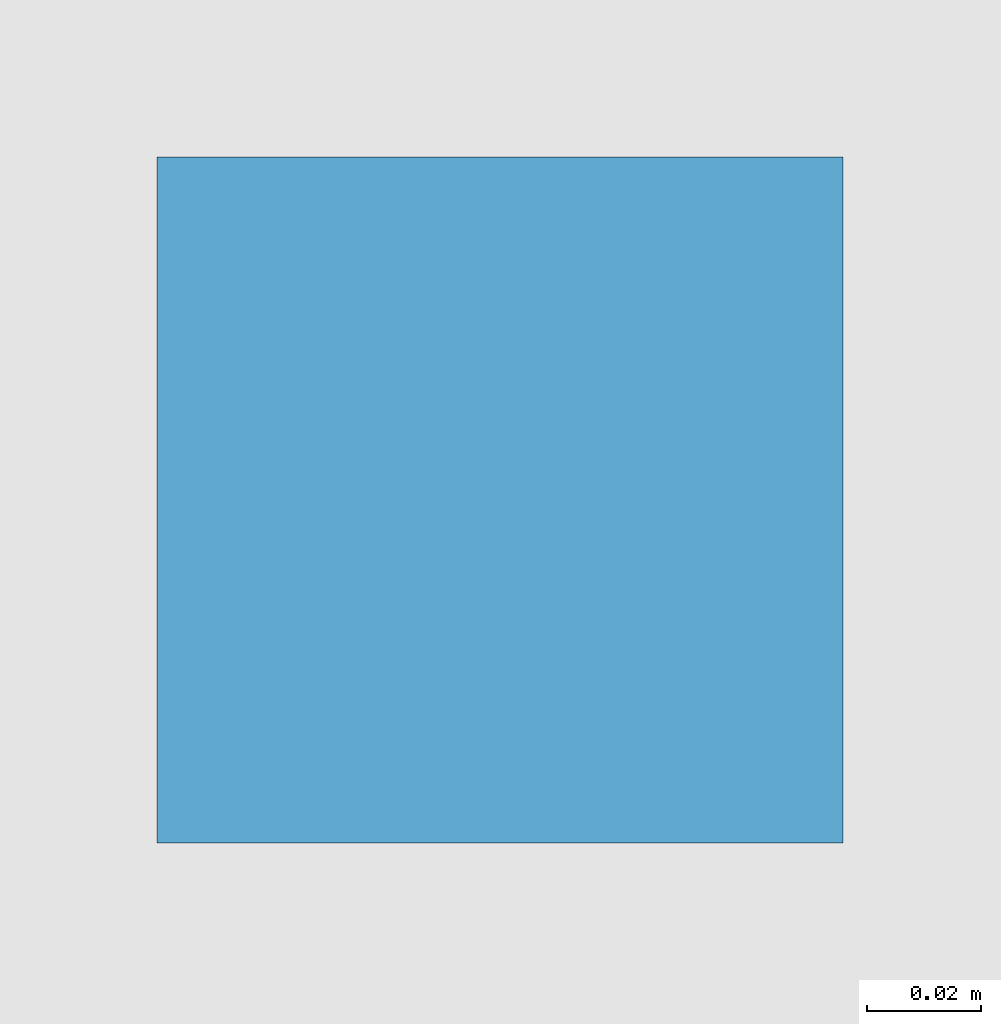
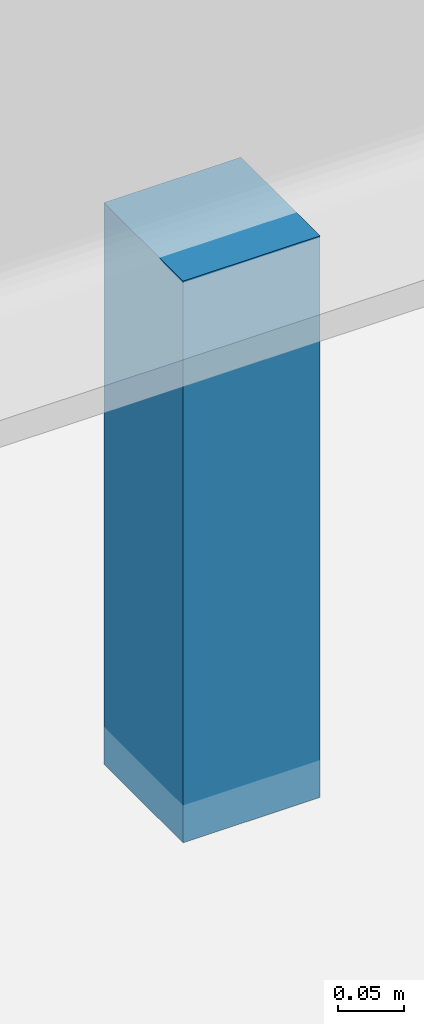
# One storey, part 69 of 103: 1 discrete accessory.
"""IFC4 building model written with IfcOpenShell, lengths in metres."""

from ifc_helpers import new_model, si_unit, direction, frame, origin, origin_2d, place, context, subcontext, project, spatial, rectangle, extrude, material, type_object, element, save


model = new_model("IFC4")

# Units and contexts
model_context = context("Model", 3, precision=1e-05, world=origin(), true_north=direction((0.0, 1.0)))
body_context = subcontext(model_context, "Body", "Model", "MODEL_VIEW")
ifc_project = project(units=[si_unit("LENGTHUNIT", "METRE"), si_unit("AREAUNIT", "SQUARE_METRE"), si_unit("VOLUMEUNIT", "CUBIC_METRE"), si_unit("PLANEANGLEUNIT", "RADIAN"), si_unit("MASSUNIT", "GRAM", prefix="KILO")], contexts=[model_context])

# Site, building, storey
site_placement = place(None, origin())
site = spatial("IfcSite", under=ifc_project, at=site_placement, CompositionType="ELEMENT")
building_placement = place(site_placement, origin())
building = spatial("IfcBuilding", under=site, at=building_placement, Name="Zlatogorsky Bluff Art Gallery", CompositionType="ELEMENT")
storey_placement = place(building_placement, origin())
storey = spatial("IfcBuildingStorey", under=building, at=storey_placement, Name="L00", CompositionType="ELEMENT", Elevation=0.0)

# Discrete accessory
ifc_material = material(Name="Steel S355", Category="steel")
discrete_accessory_type = type_object("IfcDiscreteAccessoryType", Name="Stainless Facade Fin Bracket BRK-01", PredefinedType="BRACKET", material=ifc_material)
discrete_accessory_placement = place(storey_placement, frame((138.0, 96.0, 4.054931640625), z_axis=(0.0, 0.0, 1.0), x_axis=(1.0, 0.0, 0.0)))
element("IfcDiscreteAccessory", 1, at=discrete_accessory_placement, inside=storey, type_object=discrete_accessory_type, Name="Acoustic ceiling suspension hanger L00-ST-12", PredefinedType="BRACKET", context=body_context, shape_type="SweptSolid", body=[
    extrude(rectangle(XDim=0.1201171875, YDim=0.1201171875, at=origin_2d()), origin(), (0.0, 0.0, 1.0), 0.52001953125),
])

save(model, "model.ifc")
